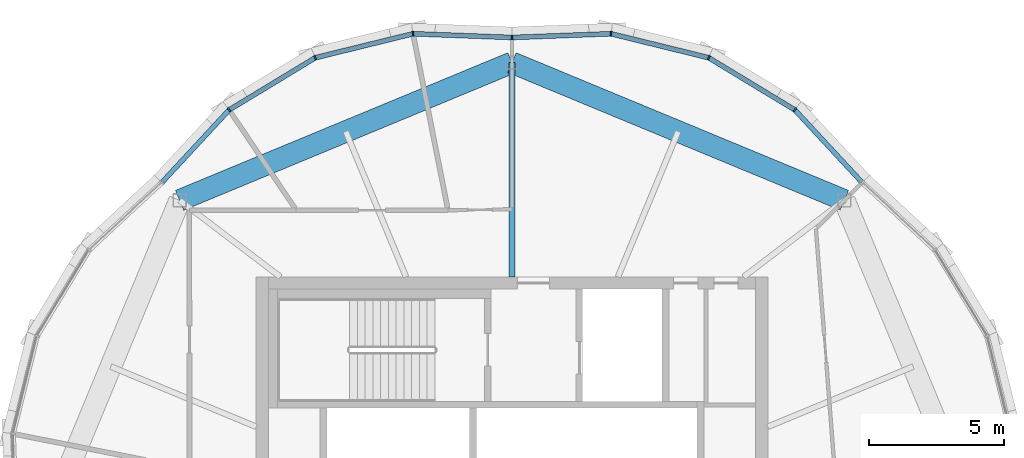
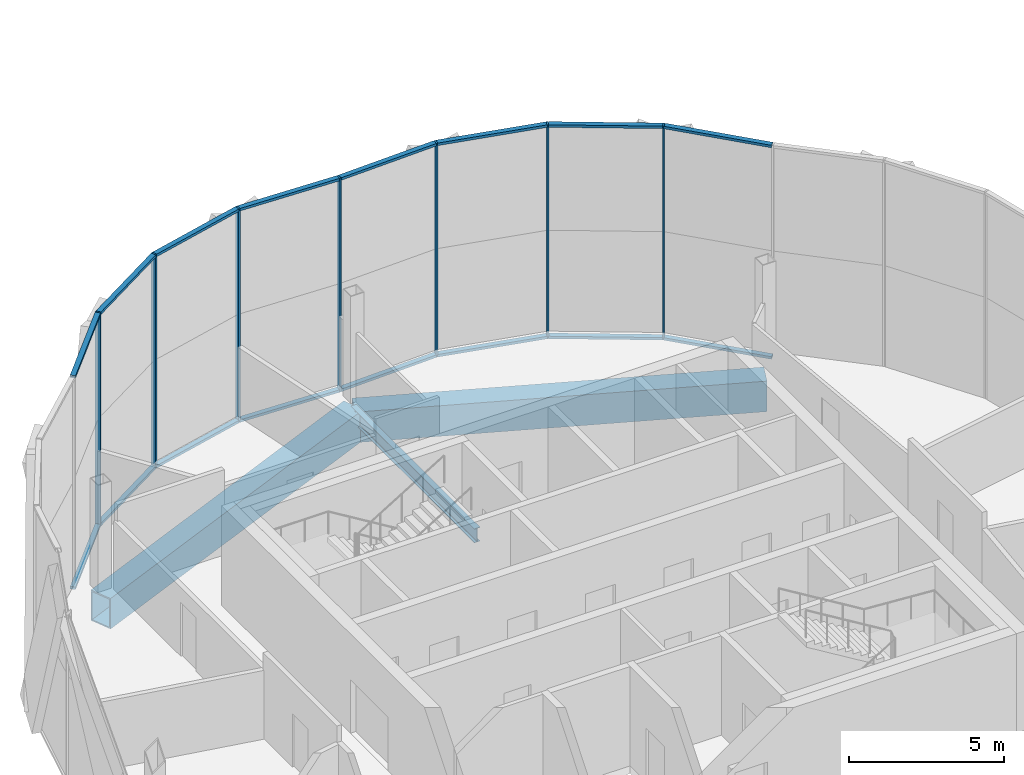
# One storey, part 7 of 22: 23 members, 3 beams, 2 elements without a shape of their own.
"""IFC4 building model written with IfcOpenShell, lengths in metres."""

from ifc_helpers import new_model, si_unit, direction, frame, origin, origin_2d, place, context, subcontext, project, spatial, rectangle, hollow_rectangle, i_section, extrude, material, material_profile, profile_set, type_object, element, aggregate, save


model = new_model("IFC4")

# Units and contexts
model_context = context("Model", 3, precision=1e-05, world=origin(), true_north=direction((0.0, 1.0)))
body_context = subcontext(model_context, "Body", "Model", "MODEL_VIEW")
ifc_project = project(units=[si_unit("LENGTHUNIT", "METRE"), si_unit("AREAUNIT", "SQUARE_METRE"), si_unit("VOLUMEUNIT", "CUBIC_METRE"), si_unit("PLANEANGLEUNIT", "RADIAN"), si_unit("MASSUNIT", "GRAM", prefix="KILO")], contexts=[model_context])

# Site, building, storey
site_placement = place(None, origin())
site = spatial("IfcSite", under=ifc_project, at=site_placement, CompositionType="ELEMENT")
building_placement = place(site_placement, origin())
building = spatial("IfcBuilding", under=site, at=building_placement, Name="Ogive Gate Towers", CompositionType="ELEMENT")
storey_placement = place(building_placement, frame((0.0, 0.0, 285.60009765625)))
storey = spatial("IfcBuildingStorey", under=building, at=storey_placement, Name="L67", CompositionType="ELEMENT", Elevation=285.60009765625)

# Beams
ifc_material_1 = material(Name="Steel SM460", Category="steel")
ifc_material_profile_1 = material_profile(ifc_material_1, hollow_rectangle(XDim=0.800048828125, YDim=1.199951171875, WallThickness=0.050048828125, at=origin_2d()), Name="BX 1200x800x50")
ifc_profile_set_1 = profile_set([ifc_material_profile_1], Name="Steel SM460")
beam_type_1 = type_object("IfcBeamType", Name="Edge girder BX 1200x800x50", PredefinedType="BEAM", material=ifc_profile_set_1)
for number, where, z_axis, x_axis, name in (
    (1, (-23.657470703125, 12.342529296875, -0.900146484375), (-0.923876732551, 0.382690191996, 0.0), (-0.382690191996, -0.923876732551, 0.0), "T1/L67/SBM021"),
    (2, (-36.0, 17.455078125, -0.900146484375), (-0.923876732551, -0.382690191996, 0.0), (0.382690191996, -0.923876732551, 0.0), "T1/L67/SBM022"),
):
    element("IfcBeam", number, at=place(storey_placement, frame(where, z_axis=z_axis, x_axis=x_axis)), inside=storey, type_object=beam_type_1, Name=name, PredefinedType="BEAM", context=body_context, shape_type="SweptSolid", body=[
        extrude(hollow_rectangle(XDim=0.800048828125, YDim=1.199951171875, WallThickness=0.050048828125, at=origin_2d()), origin(), (0.0, 0.0, 1.0), 13.359619140625),
    ])
ifc_material_2 = material(Name="Steel SM355", Category="steel")
ifc_material_profile_2 = material_profile(ifc_material_2, i_section(OverallWidth=0.2099609375, OverallDepth=0.550048828125, WebThickness=0.010986328125, FlangeThickness=0.01708984375, FilletRadius=0.02392578125, at=origin_2d()), Name="IPE 550")
ifc_profile_set_2 = profile_set([ifc_material_profile_2], Name="Steel SM355")
beam_type_2 = type_object("IfcBeamType", Name="Radial floor beam IPE 550", PredefinedType="BEAM", material=ifc_profile_set_2)
beam_placement = place(storey_placement, frame((-36.0, 9.5, -0.5751953125), z_axis=(0.0, 1.0, 0.0), x_axis=(-1.0, 0.0, 0.0)))
element("IfcBeam", 3, at=beam_placement, inside=storey, type_object=beam_type_2, Name="T1/L67/SBM011", PredefinedType="BEAM", context=body_context, shape_type="SweptSolid", body=[
    extrude(i_section(OverallWidth=0.2099609375, OverallDepth=0.550048828125, WebThickness=0.010986328125, FlangeThickness=0.01708984375, FilletRadius=0.02392578125, at=origin_2d()), origin(), (0.0, 0.0, 1.0), 7.955078125),
])

# Curtain wall, members
ifc_material_3 = material(Name="Pale metal aluminium", Category="aluminium")
curtain_wall_type = type_object("IfcCurtainWallType", Name="Tower unitised wall, high zone", PredefinedType="NOTDEFINED", material=ifc_material_3)
curtain_wall_1_placement = place(storey_placement, origin())
curtain_wall_1 = element("IfcCurtainWall", 4, at=curtain_wall_1_placement, inside=storey, type_object=curtain_wall_type, Name="CW2 T1 ECW02", PredefinedType="NOTDEFINED")
ifc_material_profile_3 = material_profile(ifc_material_3, rectangle(XDim=0.179931640625, YDim=0.06005859375, at=origin_2d()), Name="60 x 180 aluminium box")
ifc_profile_set_3 = profile_set([ifc_material_profile_3], Name="Pale metal aluminium")
member_type_1 = type_object("IfcMemberType", Name="Tower unitised wall, high zone mullion 60 x 180", PredefinedType="MULLION", material=ifc_profile_set_3)
member_1_placement = place(storey_placement, frame((-25.497802734375, 15.7021484375, -0.300048828125), z_axis=(0.0, 0.0, 1.0), x_axis=(0.631812872699, 0.775120954363, 0.0)))
member_1 = element("IfcMember", 5, at=member_1_placement, type_object=member_type_1, Name="CW2 mullion", PredefinedType="MULLION", context=body_context, shape_type="SweptSolid", body=[
    extrude(rectangle(XDim=0.179931640625, YDim=0.06005859375, at=origin_2d()), origin(), (0.0, 0.0, 1.0), 8.39990234375),
])
member_2_placement = place(storey_placement, frame((-28.694091796875, 17.637939453125, -0.300048828125), z_axis=(0.0, 0.0, 1.0), x_axis=(0.382683432365, 0.923879532511, 0.0)))
member_2 = element("IfcMember", 6, at=member_2_placement, type_object=member_type_1, Name="CW2 mullion", PredefinedType="MULLION", context=body_context, shape_type="SweptSolid", body=[
    extrude(rectangle(XDim=0.179931640625, YDim=0.06005859375, at=origin_2d()), origin(), (0.0, 0.0, 1.0), 8.39990234375),
])
member_3_placement = place(storey_placement, frame((-32.322998046875, 18.529296875, -0.300048828125), z_axis=(0.0, 0.0, 1.0), x_axis=(0.101351479779, 0.99485068103, 0.0)))
member_3 = element("IfcMember", 7, at=member_3_placement, type_object=member_type_1, Name="CW2 mullion", PredefinedType="MULLION", context=body_context, shape_type="SweptSolid", body=[
    extrude(rectangle(XDim=0.179931640625, YDim=0.06005859375, at=origin_2d()), origin(), (0.0, 0.0, 1.0), 8.39990234375),
])
member_4_placement = place(storey_placement, frame((-35.99951171875, 18.39013671875, -0.300048828125), z_axis=(0.0, 0.0, 1.0), x_axis=(-0.037794827812, 0.999285520255, 0.0)))
member_4 = element("IfcMember", 8, at=member_4_placement, type_object=member_type_1, Name="CW2 mullion", PredefinedType="MULLION", context=body_context, shape_type="SweptSolid", body=[
    extrude(rectangle(XDim=0.179931640625, YDim=0.06005859375, at=origin_2d()), origin(), (0.0, 0.0, 1.0), 8.39990234375),
])

curtain_wall_2_placement = place(storey_placement, origin())
curtain_wall_2 = element("IfcCurtainWall", 9, at=curtain_wall_2_placement, inside=storey, type_object=curtain_wall_type, Name="CW2 T1 ECW03", PredefinedType="NOTDEFINED")
member_5_placement = place(storey_placement, frame((-39.677001953125, 18.529296875, -0.300048828125), z_axis=(0.0, 0.0, 1.0), x_axis=(-0.101351479779, 0.99485068103, 0.0)))
member_5 = element("IfcMember", 10, at=member_5_placement, type_object=member_type_1, Name="CW2 mullion", PredefinedType="MULLION", context=body_context, shape_type="SweptSolid", body=[
    extrude(rectangle(XDim=0.179931640625, YDim=0.06005859375, at=origin_2d()), origin(), (0.0, 0.0, 1.0), 8.39990234375),
])
member_6_placement = place(storey_placement, frame((-43.305908203125, 17.637939453125, -0.300048828125), z_axis=(0.0, 0.0, 1.0), x_axis=(-0.382683432365, 0.923879532511, 0.0)))
member_6 = element("IfcMember", 11, at=member_6_placement, type_object=member_type_1, Name="CW2 mullion", PredefinedType="MULLION", context=body_context, shape_type="SweptSolid", body=[
    extrude(rectangle(XDim=0.179931640625, YDim=0.06005859375, at=origin_2d()), origin(), (0.0, 0.0, 1.0), 8.39990234375),
])
member_7_placement = place(storey_placement, frame((-46.502197265625, 15.7021484375, -0.300048828125), z_axis=(0.0, 0.0, 1.0), x_axis=(-0.631812872699, 0.775120954363, 0.0)))
member_7 = element("IfcMember", 12, at=member_7_placement, type_object=member_type_1, Name="CW2 mullion", PredefinedType="MULLION", context=body_context, shape_type="SweptSolid", body=[
    extrude(rectangle(XDim=0.179931640625, YDim=0.06005859375, at=origin_2d()), origin(), (0.0, 0.0, 1.0), 8.39990234375),
])

# Member
ifc_material_profile_4 = material_profile(ifc_material_3, rectangle(XDim=0.179931640625, YDim=0.10009765625, at=origin_2d()), Name="100 x 180 aluminium box")
ifc_profile_set_4 = profile_set([ifc_material_profile_4], Name="Pale metal aluminium")
member_type_2 = type_object("IfcMemberType", Name="Tower unitised wall, high zone transom 100 x 180", PredefinedType="USERDEFINED", material=ifc_profile_set_4)
member_8_placement = place(storey_placement, frame((-23.016845703125, 13.02587890625, 8.0498046875), z_axis=(-0.679866392471, 0.733335999654, 0.0), x_axis=(-0.733335999654, -0.679866392471, 0.0)))
member_8 = element("IfcMember", 13, at=member_8_placement, type_object=member_type_2, Name="CW2 transom", ObjectType="TRANSOM", PredefinedType="USERDEFINED", context=body_context, shape_type="SweptSolid", body=[
    extrude(rectangle(XDim=0.179931640625, YDim=0.10009765625, at=origin_2d()), origin(), (0.0, 0.0, 1.0), 3.620849609375),
])

member_9_placement = place(storey_placement, frame((-23.016845703125, 13.02587890625, -0.25), z_axis=(-0.679866392471, 0.733335999654, 0.0), x_axis=(-0.733335999654, -0.679866392471, 0.0)))
member_9 = element("IfcMember", 14, at=member_9_placement, type_object=member_type_2, Name="CW2 transom", ObjectType="TRANSOM", PredefinedType="USERDEFINED", context=body_context, shape_type="SweptSolid", body=[
    extrude(rectangle(XDim=0.179931640625, YDim=0.10009765625, at=origin_2d()), origin(), (0.0, 0.0, 1.0), 3.620849609375),
])

member_10_placement = place(storey_placement, frame((-25.522216796875, 15.716796875, 8.0498046875), z_axis=(-0.855372442669, 0.518013498205, 0.0), x_axis=(-0.518013498205, -0.855372442669, 0.0)))
member_10 = element("IfcMember", 15, at=member_10_placement, type_object=member_type_2, Name="CW2 transom", ObjectType="TRANSOM", PredefinedType="USERDEFINED", context=body_context, shape_type="SweptSolid", body=[
    extrude(rectangle(XDim=0.179931640625, YDim=0.10009765625, at=origin_2d()), origin(), (0.0, 0.0, 1.0), 3.679931640625),
])

member_11_placement = place(storey_placement, frame((-25.522216796875, 15.716796875, -0.25), z_axis=(-0.855372442669, 0.518013498205, 0.0), x_axis=(-0.518013498205, -0.855372442669, 0.0)))
member_11 = element("IfcMember", 16, at=member_11_placement, type_object=member_type_2, Name="CW2 transom", ObjectType="TRANSOM", PredefinedType="USERDEFINED", context=body_context, shape_type="SweptSolid", body=[
    extrude(rectangle(XDim=0.179931640625, YDim=0.10009765625, at=origin_2d()), origin(), (0.0, 0.0, 1.0), 3.679931640625),
])

member_12_placement = place(storey_placement, frame((-28.7216796875, 17.64453125, 8.0498046875), z_axis=(-0.971141005493, 0.238506074242, 0.0), x_axis=(-0.238506074242, -0.971141005493, 0.0)))
member_12 = element("IfcMember", 17, at=member_12_placement, type_object=member_type_2, Name="CW2 transom", ObjectType="TRANSOM", PredefinedType="USERDEFINED", context=body_context, shape_type="SweptSolid", body=[
    extrude(rectangle(XDim=0.179931640625, YDim=0.10009765625, at=origin_2d()), origin(), (0.0, 0.0, 1.0), 3.679931640625),
])

member_13_placement = place(storey_placement, frame((-28.7216796875, 17.64453125, -0.25), z_axis=(-0.971141005493, 0.238506074242, 0.0), x_axis=(-0.238506074242, -0.971141005493, 0.0)))
member_13 = element("IfcMember", 18, at=member_13_placement, type_object=member_type_2, Name="CW2 transom", ObjectType="TRANSOM", PredefinedType="USERDEFINED", context=body_context, shape_type="SweptSolid", body=[
    extrude(rectangle(XDim=0.179931640625, YDim=0.10009765625, at=origin_2d()), origin(), (0.0, 0.0, 1.0), 3.679931640625),
])

member_14_placement = place(storey_placement, frame((-32.351806640625, 18.528076171875, 8.0498046875), z_axis=(-0.999284103916, -0.03783225687, 0.0), x_axis=(0.03783225687, -0.999284103916, 0.0)))
member_14 = element("IfcMember", 19, at=member_14_placement, type_object=member_type_2, Name="CW2 transom", ObjectType="TRANSOM", PredefinedType="USERDEFINED", context=body_context, shape_type="SweptSolid", body=[
    extrude(rectangle(XDim=0.179931640625, YDim=0.10009765625, at=origin_2d()), origin(), (0.0, 0.0, 1.0), 3.620361328125),
])

member_15_placement = place(storey_placement, frame((-32.351806640625, 18.528076171875, -0.25), z_axis=(-0.999284103916, -0.03783225687, 0.0), x_axis=(0.03783225687, -0.999284103916, 0.0)))
member_15 = element("IfcMember", 20, at=member_15_placement, type_object=member_type_2, Name="CW2 transom", ObjectType="TRANSOM", PredefinedType="USERDEFINED", context=body_context, shape_type="SweptSolid", body=[
    extrude(rectangle(XDim=0.179931640625, YDim=0.10009765625, at=origin_2d()), origin(), (0.0, 0.0, 1.0), 3.620361328125),
])

aggregate(curtain_wall_1, [member_1, member_8, member_9, member_2, member_10, member_11, member_3, member_12, member_13, member_4, member_14, member_15])

member_16_placement = place(storey_placement, frame((-36.030517578125, 18.39111328125, 8.0498046875), z_axis=(-0.999284103916, 0.03783225687, 0.0), x_axis=(-0.03783225687, -0.999284103916, 0.0)))
member_16 = element("IfcMember", 21, at=member_16_placement, type_object=member_type_2, Name="CW2 transom", ObjectType="TRANSOM", PredefinedType="USERDEFINED", context=body_context, shape_type="SweptSolid", body=[
    extrude(rectangle(XDim=0.179931640625, YDim=0.10009765625, at=origin_2d()), origin(), (0.0, 0.0, 1.0), 3.620361328125),
])

member_17_placement = place(storey_placement, frame((-36.030517578125, 18.39111328125, -0.25), z_axis=(-0.999284103916, 0.03783225687, 0.0), x_axis=(-0.03783225687, -0.999284103916, 0.0)))
member_17 = element("IfcMember", 22, at=member_17_placement, type_object=member_type_2, Name="CW2 transom", ObjectType="TRANSOM", PredefinedType="USERDEFINED", context=body_context, shape_type="SweptSolid", body=[
    extrude(rectangle(XDim=0.179931640625, YDim=0.10009765625, at=origin_2d()), origin(), (0.0, 0.0, 1.0), 3.620361328125),
])

member_18_placement = place(storey_placement, frame((-39.70458984375, 18.522216796875, 8.0498046875), z_axis=(-0.971141005493, -0.238506074242, 0.0), x_axis=(0.238506074242, -0.971141005493, 0.0)))
member_18 = element("IfcMember", 23, at=member_18_placement, type_object=member_type_2, Name="CW2 transom", ObjectType="TRANSOM", PredefinedType="USERDEFINED", context=body_context, shape_type="SweptSolid", body=[
    extrude(rectangle(XDim=0.179931640625, YDim=0.10009765625, at=origin_2d()), origin(), (0.0, 0.0, 1.0), 3.679931640625),
])

member_19_placement = place(storey_placement, frame((-39.70458984375, 18.522216796875, -0.25), z_axis=(-0.971141005493, -0.238506074242, 0.0), x_axis=(0.238506074242, -0.971141005493, 0.0)))
member_19 = element("IfcMember", 24, at=member_19_placement, type_object=member_type_2, Name="CW2 transom", ObjectType="TRANSOM", PredefinedType="USERDEFINED", context=body_context, shape_type="SweptSolid", body=[
    extrude(rectangle(XDim=0.179931640625, YDim=0.10009765625, at=origin_2d()), origin(), (0.0, 0.0, 1.0), 3.679931640625),
])

member_20_placement = place(storey_placement, frame((-43.330078125, 17.623046875, 8.0498046875), z_axis=(-0.855372442669, -0.518013498205, 0.0), x_axis=(0.518013498205, -0.855372442669, 0.0)))
member_20 = element("IfcMember", 25, at=member_20_placement, type_object=member_type_2, Name="CW2 transom", ObjectType="TRANSOM", PredefinedType="USERDEFINED", context=body_context, shape_type="SweptSolid", body=[
    extrude(rectangle(XDim=0.179931640625, YDim=0.10009765625, at=origin_2d()), origin(), (0.0, 0.0, 1.0), 3.679931640625),
])

member_21_placement = place(storey_placement, frame((-43.330078125, 17.623046875, -0.25), z_axis=(-0.855372442669, -0.518013498205, 0.0), x_axis=(0.518013498205, -0.855372442669, 0.0)))
member_21 = element("IfcMember", 26, at=member_21_placement, type_object=member_type_2, Name="CW2 transom", ObjectType="TRANSOM", PredefinedType="USERDEFINED", context=body_context, shape_type="SweptSolid", body=[
    extrude(rectangle(XDim=0.179931640625, YDim=0.10009765625, at=origin_2d()), origin(), (0.0, 0.0, 1.0), 3.679931640625),
])

member_22_placement = place(storey_placement, frame((-46.521484375, 15.68115234375, 8.0498046875), z_axis=(-0.679866392471, -0.733335999654, 0.0), x_axis=(0.733335999654, -0.679866392471, 0.0)))
member_22 = element("IfcMember", 27, at=member_22_placement, type_object=member_type_2, Name="CW2 transom", ObjectType="TRANSOM", PredefinedType="USERDEFINED", context=body_context, shape_type="SweptSolid", body=[
    extrude(rectangle(XDim=0.179931640625, YDim=0.10009765625, at=origin_2d()), origin(), (0.0, 0.0, 1.0), 3.620849609375),
])

member_23_placement = place(storey_placement, frame((-46.521484375, 15.68115234375, -0.25), z_axis=(-0.679866392471, -0.733335999654, 0.0), x_axis=(0.733335999654, -0.679866392471, 0.0)))
member_23 = element("IfcMember", 28, at=member_23_placement, type_object=member_type_2, Name="CW2 transom", ObjectType="TRANSOM", PredefinedType="USERDEFINED", context=body_context, shape_type="SweptSolid", body=[
    extrude(rectangle(XDim=0.179931640625, YDim=0.10009765625, at=origin_2d()), origin(), (0.0, 0.0, 1.0), 3.620849609375),
])

aggregate(curtain_wall_2, [member_5, member_16, member_17, member_6, member_18, member_19, member_7, member_20, member_21, member_22, member_23])

save(model, "model.ifc")
